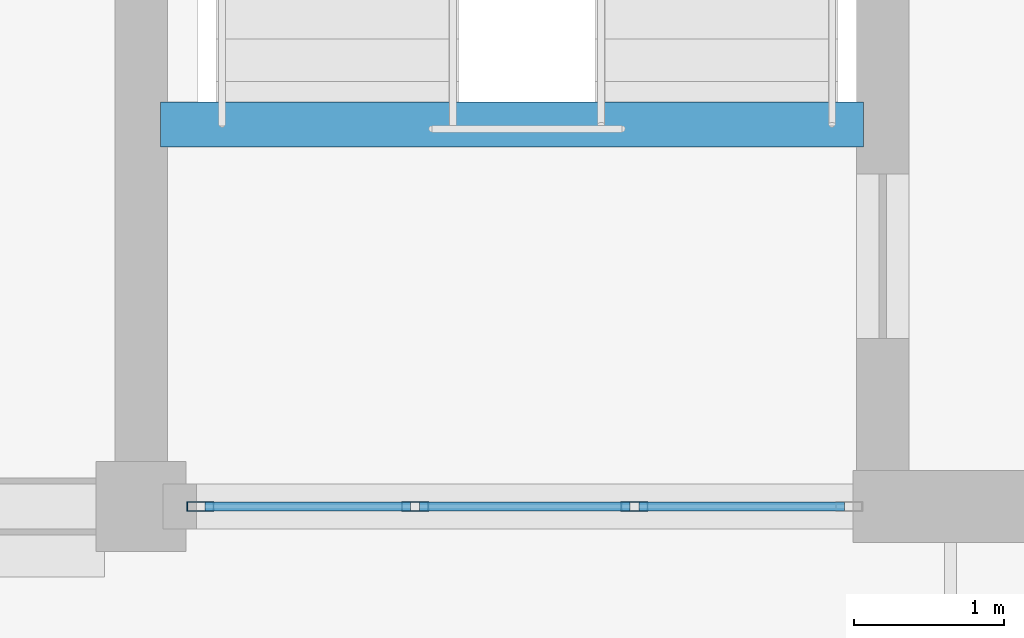
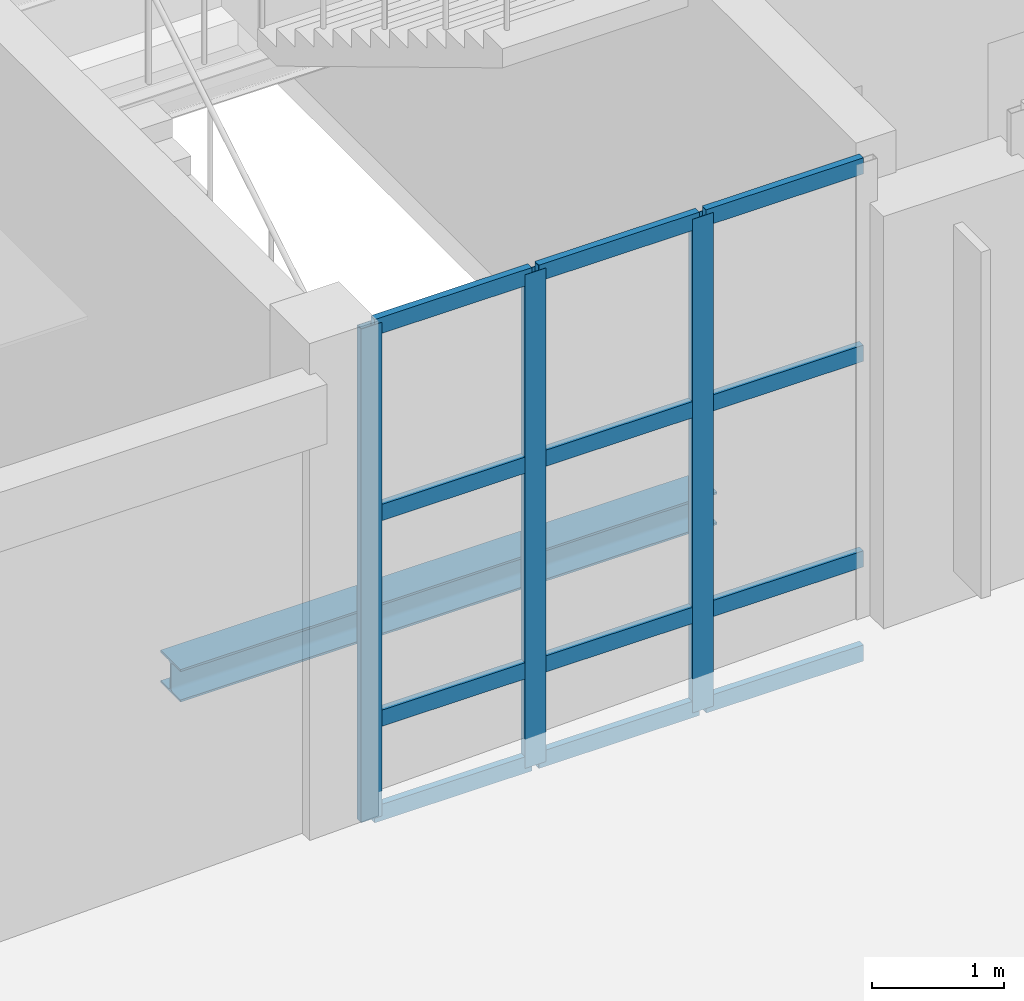
# One storey, part 14 of 86: 15 members, 1 beam, 1 element without a shape of its own.
"""IFC4 building model written with IfcOpenShell, lengths in metres."""

from ifc_helpers import new_model, si_unit, direction, frame, origin, origin_2d, place, context, subcontext, project, spatial, hollow_rectangle, i_section, extrude, material, layer, layer_set, material_profile, profile_set, type_object, element, aggregate, save


model = new_model("IFC4")

# Units and contexts
model_context = context("Model", 3, precision=1e-05, world=origin(), true_north=direction((0.0, 1.0)))
body_context = subcontext(model_context, "Body", "Model", "MODEL_VIEW")
ifc_project = project(units=[si_unit("LENGTHUNIT", "METRE"), si_unit("AREAUNIT", "SQUARE_METRE"), si_unit("VOLUMEUNIT", "CUBIC_METRE"), si_unit("PLANEANGLEUNIT", "RADIAN"), si_unit("MASSUNIT", "GRAM", prefix="KILO")], contexts=[model_context])

# Site, building, storey
site_placement = place(None, origin())
site = spatial("IfcSite", under=ifc_project, at=site_placement, CompositionType="ELEMENT")
building_placement = place(site_placement, origin())
building = spatial("IfcBuilding", under=site, at=building_placement, Name="Tasgan Crest Museum", CompositionType="ELEMENT")
storey_placement = place(building_placement, frame((0.0, 0.0, 24.0)))
storey = spatial("IfcBuildingStorey", under=building, at=storey_placement, Name="L04", CompositionType="ELEMENT", Elevation=24.0)

# Beam
ifc_material_1 = material(Name="Steel S355J2", Category="steel")
ifc_material_profile_1 = material_profile(ifc_material_1, i_section(OverallWidth=0.300048828125, OverallDepth=0.300048828125, WebThickness=0.010986328125, FlangeThickness=0.01904296875, FilletRadius=0.027099609375, at=origin_2d()), Name="HEB 300")
ifc_profile_set_1 = profile_set([ifc_material_profile_1], Name="Steel S355J2")
beam_type = type_object("IfcBeamType", Name="BM-G-HEB300", PredefinedType="BEAM", material=ifc_profile_set_1)
beam_placement = place(storey_placement, frame((10.929931640625, 84.550048828125, -0.14990234375), z_axis=(1.0, 0.0, 0.0), x_axis=(0.0, 1.0, 0.0)))
element("IfcBeam", 1, at=beam_placement, inside=storey, type_object=beam_type, Name="Stair threshold trimmer beam ST-NW-L04", PredefinedType="BEAM", context=body_context, shape_type="SweptSolid", body=[
    extrude(i_section(OverallWidth=0.300048828125, OverallDepth=0.300048828125, WebThickness=0.010986328125, FlangeThickness=0.01904296875, FilletRadius=0.027099609375, at=origin_2d()), origin(), (0.0, 0.0, 1.0), 4.690185546875),
])

# Curtain wall, members
ifc_material_2 = material(Name="Triple-Glazed Aluminium Curtain Wall", Category="aluminium")
ifc_layer = layer(ifc_material_2, 0.179931640625, Name="CW-CORE-STRIP-48")
ifc_layer_set = layer_set([ifc_layer], Name="Triple-Glazed Aluminium Curtain Wall")
curtain_wall_type = type_object("IfcCurtainWallType", Name="CW-CORE-STRIP-48", PredefinedType="NOTDEFINED", material=ifc_layer_set)
curtain_wall_placement = place(storey_placement, origin())
curtain_wall = element("IfcCurtainWall", 2, at=curtain_wall_placement, inside=storey, type_object=curtain_wall_type, Name="Curtain wall L04 171", PredefinedType="NOTDEFINED")
ifc_material_3 = material(Name="Anodised Aluminium", Category="aluminium")
ifc_material_profile_2 = material_profile(ifc_material_3, hollow_rectangle(XDim=0.06494140625, YDim=0.179931640625, WallThickness=0.0048828125, at=origin_2d()), Name="ALU MULLION 180x65x5")
ifc_profile_set_2 = profile_set([ifc_material_profile_2], Name="Anodised Aluminium")
member_type_1 = type_object("IfcMemberType", Name="CW-MULLION-180", PredefinedType="MULLION", material=ifc_profile_set_2)
member_1_placement = place(storey_placement, frame((11.195068359375, 82.0, 0.0), z_axis=(0.0, 0.0, 1.0), x_axis=(0.0, 1.0, 0.0)))
member_1 = element("IfcMember", 3, at=member_1_placement, type_object=member_type_1, Name="CW19 mullion 1", PredefinedType="MULLION", context=body_context, shape_type="SweptSolid", body=[
    extrude(hollow_rectangle(XDim=0.06494140625, YDim=0.179931640625, WallThickness=0.0048828125, at=origin_2d()), origin(), (0.0, 0.0, 1.0), 4.56005859375),
])
member_2_placement = place(storey_placement, frame((12.62841796875, 82.0, 0.0), z_axis=(0.0, 0.0, 1.0), x_axis=(0.0, 1.0, 0.0)))
member_2 = element("IfcMember", 4, at=member_2_placement, type_object=member_type_1, Name="CW19 mullion 2", PredefinedType="MULLION", context=body_context, shape_type="SweptSolid", body=[
    extrude(hollow_rectangle(XDim=0.06494140625, YDim=0.179931640625, WallThickness=0.0048828125, at=origin_2d()), origin(), (0.0, 0.0, 1.0), 4.56005859375),
])
member_3_placement = place(storey_placement, frame((14.091552734375, 82.0, 0.0), z_axis=(0.0, 0.0, 1.0), x_axis=(0.0, 1.0, 0.0)))
member_3 = element("IfcMember", 5, at=member_3_placement, type_object=member_type_1, Name="CW19 mullion 3", PredefinedType="MULLION", context=body_context, shape_type="SweptSolid", body=[
    extrude(hollow_rectangle(XDim=0.06494140625, YDim=0.179931640625, WallThickness=0.0048828125, at=origin_2d()), origin(), (0.0, 0.0, 1.0), 4.56005859375),
])
ifc_material_4 = material(Name="Anodised Aluminium", Category="aluminium")
ifc_material_profile_3 = material_profile(ifc_material_4, hollow_rectangle(XDim=0.06005859375, YDim=0.14990234375, WallThickness=0.0048828125, at=origin_2d()), Name="ALU TRANSOM 150x60x5")
ifc_profile_set_3 = profile_set([ifc_material_profile_3], Name="Anodised Aluminium")
member_type_2 = type_object("IfcMemberType", Name="CW-TRANSOM-150", PredefinedType="USERDEFINED", material=ifc_profile_set_3)
member_4_placement = place(storey_placement, frame((11.22509765625, 82.0, 0.030029296875), z_axis=(1.0, 0.0, 0.0), x_axis=(0.0, 1.0, 0.0)))
member_4 = element("IfcMember", 6, at=member_4_placement, type_object=member_type_2, Name="CW19 transom 1.1", ObjectType="TRANSOM", PredefinedType="USERDEFINED", context=body_context, shape_type="SweptSolid", body=[
    extrude(hollow_rectangle(XDim=0.06005859375, YDim=0.14990234375, WallThickness=0.0048828125, at=origin_2d()), origin(), (0.0, 0.0, 1.0), 1.373291015625),
])
member_5_placement = place(storey_placement, frame((11.22509765625, 82.0, 0.89990234375), z_axis=(1.0, 0.0, 0.0), x_axis=(0.0, 1.0, 0.0)))
member_5 = element("IfcMember", 7, at=member_5_placement, type_object=member_type_2, Name="CW19 transom 1.2", ObjectType="TRANSOM", PredefinedType="USERDEFINED", context=body_context, shape_type="SweptSolid", body=[
    extrude(hollow_rectangle(XDim=0.06005859375, YDim=0.14990234375, WallThickness=0.0048828125, at=origin_2d()), origin(), (0.0, 0.0, 1.0), 1.373291015625),
])
member_6_placement = place(storey_placement, frame((11.22509765625, 82.0, 2.800048828125), z_axis=(1.0, 0.0, 0.0), x_axis=(0.0, 1.0, 0.0)))
member_6 = element("IfcMember", 8, at=member_6_placement, type_object=member_type_2, Name="CW19 transom 1.3", ObjectType="TRANSOM", PredefinedType="USERDEFINED", context=body_context, shape_type="SweptSolid", body=[
    extrude(hollow_rectangle(XDim=0.06005859375, YDim=0.14990234375, WallThickness=0.0048828125, at=origin_2d()), origin(), (0.0, 0.0, 1.0), 1.373291015625),
])
member_7_placement = place(storey_placement, frame((11.22509765625, 82.0, 4.530029296875), z_axis=(1.0, 0.0, 0.0), x_axis=(0.0, 1.0, 0.0)))
member_7 = element("IfcMember", 9, at=member_7_placement, type_object=member_type_2, Name="CW19 transom 1.4", ObjectType="TRANSOM", PredefinedType="USERDEFINED", context=body_context, shape_type="SweptSolid", body=[
    extrude(hollow_rectangle(XDim=0.06005859375, YDim=0.14990234375, WallThickness=0.0048828125, at=origin_2d()), origin(), (0.0, 0.0, 1.0), 1.373291015625),
])
member_8_placement = place(storey_placement, frame((12.658447265625, 82.0, 0.030029296875), z_axis=(1.0, 0.0, 0.0), x_axis=(0.0, 1.0, 0.0)))
member_8 = element("IfcMember", 10, at=member_8_placement, type_object=member_type_2, Name="CW19 transom 2.1", ObjectType="TRANSOM", PredefinedType="USERDEFINED", context=body_context, shape_type="SweptSolid", body=[
    extrude(hollow_rectangle(XDim=0.06005859375, YDim=0.14990234375, WallThickness=0.0048828125, at=origin_2d()), origin(), (0.0, 0.0, 1.0), 1.4033203125),
])
member_9_placement = place(storey_placement, frame((12.658447265625, 82.0, 0.89990234375), z_axis=(1.0, 0.0, 0.0), x_axis=(0.0, 1.0, 0.0)))
member_9 = element("IfcMember", 11, at=member_9_placement, type_object=member_type_2, Name="CW19 transom 2.2", ObjectType="TRANSOM", PredefinedType="USERDEFINED", context=body_context, shape_type="SweptSolid", body=[
    extrude(hollow_rectangle(XDim=0.06005859375, YDim=0.14990234375, WallThickness=0.0048828125, at=origin_2d()), origin(), (0.0, 0.0, 1.0), 1.4033203125),
])
member_10_placement = place(storey_placement, frame((12.658447265625, 82.0, 2.800048828125), z_axis=(1.0, 0.0, 0.0), x_axis=(0.0, 1.0, 0.0)))
member_10 = element("IfcMember", 12, at=member_10_placement, type_object=member_type_2, Name="CW19 transom 2.3", ObjectType="TRANSOM", PredefinedType="USERDEFINED", context=body_context, shape_type="SweptSolid", body=[
    extrude(hollow_rectangle(XDim=0.06005859375, YDim=0.14990234375, WallThickness=0.0048828125, at=origin_2d()), origin(), (0.0, 0.0, 1.0), 1.4033203125),
])
member_11_placement = place(storey_placement, frame((12.658447265625, 82.0, 4.530029296875), z_axis=(1.0, 0.0, 0.0), x_axis=(0.0, 1.0, 0.0)))
member_11 = element("IfcMember", 13, at=member_11_placement, type_object=member_type_2, Name="CW19 transom 2.4", ObjectType="TRANSOM", PredefinedType="USERDEFINED", context=body_context, shape_type="SweptSolid", body=[
    extrude(hollow_rectangle(XDim=0.06005859375, YDim=0.14990234375, WallThickness=0.0048828125, at=origin_2d()), origin(), (0.0, 0.0, 1.0), 1.4033203125),
])
member_12_placement = place(storey_placement, frame((14.12158203125, 82.0, 0.030029296875), z_axis=(1.0, 0.0, 0.0), x_axis=(0.0, 1.0, 0.0)))
member_12 = element("IfcMember", 14, at=member_12_placement, type_object=member_type_2, Name="CW19 transom 3.1", ObjectType="TRANSOM", PredefinedType="USERDEFINED", context=body_context, shape_type="SweptSolid", body=[
    extrude(hollow_rectangle(XDim=0.06005859375, YDim=0.14990234375, WallThickness=0.0048828125, at=origin_2d()), origin(), (0.0, 0.0, 1.0), 1.37353515625),
])
member_13_placement = place(storey_placement, frame((14.12158203125, 82.0, 0.89990234375), z_axis=(1.0, 0.0, 0.0), x_axis=(0.0, 1.0, 0.0)))
member_13 = element("IfcMember", 15, at=member_13_placement, type_object=member_type_2, Name="CW19 transom 3.2", ObjectType="TRANSOM", PredefinedType="USERDEFINED", context=body_context, shape_type="SweptSolid", body=[
    extrude(hollow_rectangle(XDim=0.06005859375, YDim=0.14990234375, WallThickness=0.0048828125, at=origin_2d()), origin(), (0.0, 0.0, 1.0), 1.37353515625),
])
member_14_placement = place(storey_placement, frame((14.12158203125, 82.0, 2.800048828125), z_axis=(1.0, 0.0, 0.0), x_axis=(0.0, 1.0, 0.0)))
member_14 = element("IfcMember", 16, at=member_14_placement, type_object=member_type_2, Name="CW19 transom 3.3", ObjectType="TRANSOM", PredefinedType="USERDEFINED", context=body_context, shape_type="SweptSolid", body=[
    extrude(hollow_rectangle(XDim=0.06005859375, YDim=0.14990234375, WallThickness=0.0048828125, at=origin_2d()), origin(), (0.0, 0.0, 1.0), 1.37353515625),
])
member_15_placement = place(storey_placement, frame((14.12158203125, 82.0, 4.530029296875), z_axis=(1.0, 0.0, 0.0), x_axis=(0.0, 1.0, 0.0)))
member_15 = element("IfcMember", 17, at=member_15_placement, type_object=member_type_2, Name="CW19 transom 3.4", ObjectType="TRANSOM", PredefinedType="USERDEFINED", context=body_context, shape_type="SweptSolid", body=[
    extrude(hollow_rectangle(XDim=0.06005859375, YDim=0.14990234375, WallThickness=0.0048828125, at=origin_2d()), origin(), (0.0, 0.0, 1.0), 1.37353515625),
])
aggregate(curtain_wall, [member_1, member_2, member_3, member_4, member_5, member_6, member_7, member_8, member_9, member_10, member_11, member_12, member_13, member_14, member_15])

save(model, "model.ifc")
